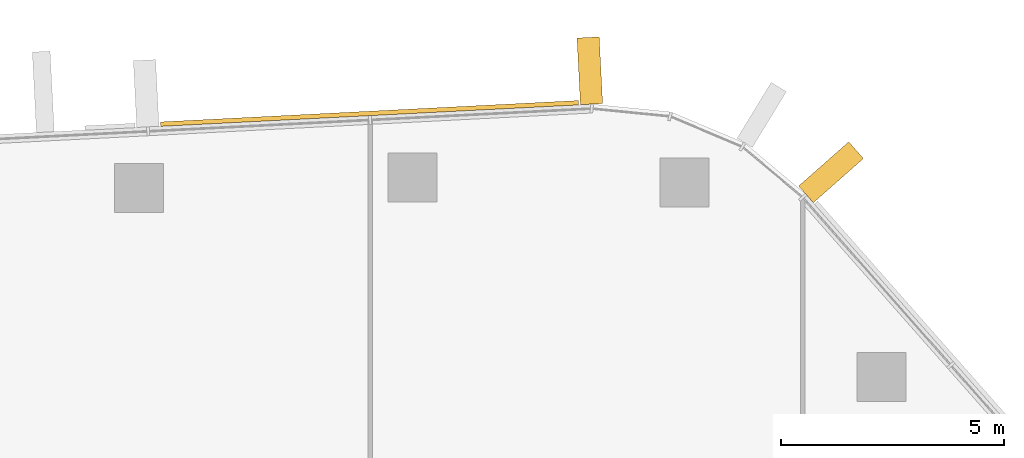
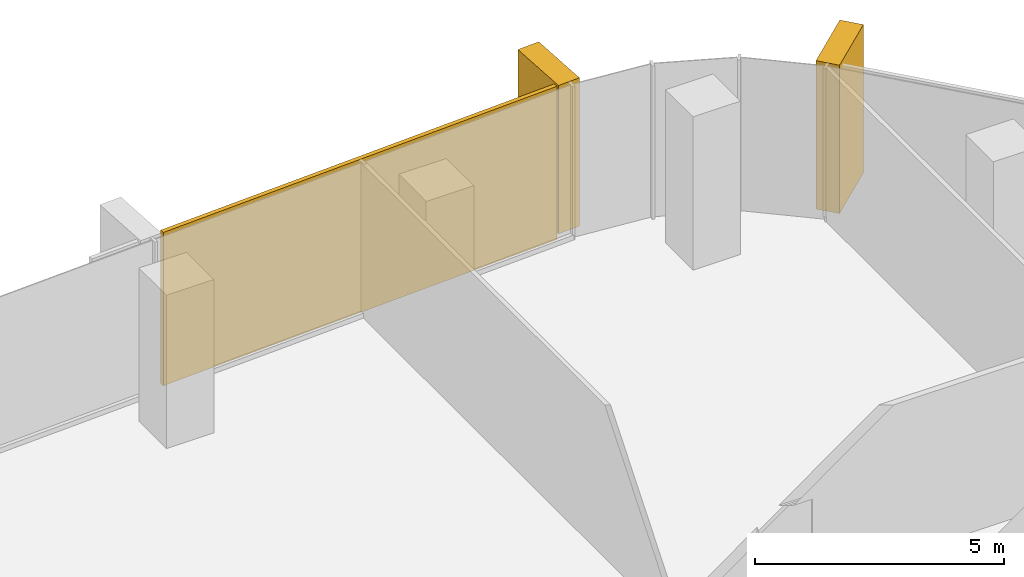
# One storey, part 21 of 21: 3 coverings, 2 elements without a shape of their own.
"""IFC4 building model written with IfcOpenShell, lengths in metres."""

import ifcopenshell
import ifcopenshell.guid

model = None  # the IFC model being written
_history = None  # IfcOwnerHistory: only IFC2X3 demands one
_inside = {}  # id of a spatial element -> (the spatial element, [elements in it])
_under = {}  # id of a project, library or spatial element -> (it, [spatial elements below it])
_declared = {}  # id of a project -> (the project, [libraries it declares])
_typed = {}  # id of a type object -> (the type object, [elements of that type])
_made_of = {}  # id of a material, layer set ... -> (it, [elements and type objects made of it])


def new_model(schema):
    """Start an empty IFC model of exactly this schema.

    Asked for "IFC4X3", IfcOpenShell would pick the latest addendum, in which some entities
    have other attributes; the version numbers below select the first issue.
    IFC2X3 requires an IfcOwnerHistory on every rooted entity: one is made here for all.
    """
    global model, _history
    if schema == "IFC4X3":
        model = ifcopenshell.file(schema_version=(4, 3, 0, 0))
    else:
        model = ifcopenshell.file(schema=schema)
    _inside.clear()
    _under.clear()
    _declared.clear()
    _typed.clear()
    _made_of.clear()
    _history = None
    if model.schema == "IFC2X3":
        org = make("IfcOrganization", Name="unknown")
        user = make(
            "IfcPersonAndOrganization",
            ThePerson=make("IfcPerson", FamilyName="unknown"),
            TheOrganization=org,
        )
        app = make(
            "IfcApplication",
            ApplicationDeveloper=org,
            Version="unknown",
            ApplicationFullName="unknown",
            ApplicationIdentifier="unknown",
        )
        _history = make(
            "IfcOwnerHistory",
            OwningUser=user,
            OwningApplication=app,
            ChangeAction="ADDED",
            CreationDate=0,
        )
    return model


def make(cls, **values):
    """One entity of the class cls with the attributes given. An attribute that is None is left unset."""
    return model.create_entity(
        cls, **{name: value for name, value in values.items() if value is not None}
    )


def rooted(cls, **values):
    """An entity with a GlobalId (a new one), such as an element, a storey or a relation."""
    return make(cls, GlobalId=ifcopenshell.guid.new(), OwnerHistory=_history, **values)


def si_unit(unit_type, name, prefix=None):
    """IfcSIUnit, for example si_unit("LENGTHUNIT", "METRE", prefix="MILLI")."""
    return make("IfcSIUnit", UnitType=unit_type, Prefix=prefix, Name=name)


def assignment(units):
    """IfcUnitAssignment: the units of a project."""
    return None if units is None else make("IfcUnitAssignment", Units=units)


def point(xyz):
    """IfcCartesianPoint."""
    return None if xyz is None else make("IfcCartesianPoint", Coordinates=xyz)


def direction(xyz):
    """IfcDirection."""
    return None if xyz is None else make("IfcDirection", DirectionRatios=xyz)


def frame(location, z_axis=None, x_axis=None):
    """IfcAxis2Placement3D, a coordinate frame: its origin and axes. An axis left out is left unset."""
    return make(
        "IfcAxis2Placement3D",
        Location=point(location),
        Axis=direction(z_axis),
        RefDirection=direction(x_axis),
    )


def frame_2d(location, x_axis=None):
    """IfcAxis2Placement2D, a coordinate frame in the plane: its origin and x axis."""
    return make(
        "IfcAxis2Placement2D", Location=point(location), RefDirection=direction(x_axis)
    )


def origin():
    """The frame at (0, 0, 0) with its axes left unset."""
    return frame((0.0, 0.0, 0.0))


def origin_2d():
    """The frame at (0, 0) in the plane with its x axis left unset."""
    return frame_2d((0.0, 0.0))


def place(relative_to, where):
    """IfcLocalPlacement: puts the frame where relative to a parent placement (None: the world)."""
    return make(
        "IfcLocalPlacement", PlacementRelTo=relative_to, RelativePlacement=where
    )


def context(
    kind, dimensions, precision=None, world=None, true_north=None, identifier=None
):
    """IfcGeometricRepresentationContext, for example the 3D "Model" context."""
    return make(
        "IfcGeometricRepresentationContext",
        ContextIdentifier=identifier,
        ContextType=kind,
        CoordinateSpaceDimension=dimensions,
        Precision=precision,
        WorldCoordinateSystem=world,
        TrueNorth=true_north,
    )


def subcontext(parent, identifier, kind, view, scale=None):
    """IfcGeometricRepresentationSubContext, for example "Body" below "Model"."""
    return make(
        "IfcGeometricRepresentationSubContext",
        ContextIdentifier=identifier,
        ContextType=kind,
        ParentContext=parent,
        TargetScale=scale,
        TargetView=view,
    )


def project(units=None, contexts=None):
    """IfcProject with its units and contexts."""
    return rooted(
        "IfcProject",
        Name="project",
        RepresentationContexts=contexts,
        UnitsInContext=assignment(units),
    )


def spatial(cls, under=None, at=None, **own):
    """A site, building, storey or space (cls), placed at a placement, below another one or the project."""
    s = rooted(cls, ObjectPlacement=at, **own)
    if under is not None:
        _under.setdefault(under.id(), (under, []))[1].append(s)
    return s


def profile(cls, at=None, kind="AREA", **sizes):
    """A parametric profile (cls). Its sizes go by their IFC names, for example OverallWidth=200.0."""
    return make(cls, ProfileType=kind, Position=at, **sizes)


def rectangle(**sizes):
    """IfcRectangleProfileDef."""
    return profile("IfcRectangleProfileDef", **sizes)


def extrude(swept, where, along, depth):
    """IfcExtrudedAreaSolid: the profile swept, set in the frame where, extruded along a direction by depth."""
    return make(
        "IfcExtrudedAreaSolid",
        SweptArea=swept,
        Position=where,
        ExtrudedDirection=direction(along),
        Depth=depth,
    )


def shape(context_of_items, identifier, shape_type, items):
    """IfcShapeRepresentation: the items that make up one representation, for example the "Body"."""
    return make(
        "IfcShapeRepresentation",
        ContextOfItems=context_of_items,
        RepresentationIdentifier=identifier,
        RepresentationType=shape_type,
        Items=items,
    )


def material(Name=None, Category=None):
    """IfcMaterial."""
    return make("IfcMaterial", Name=Name, Category=Category)


def layer(
    of_material, thickness, ventilated=None, Name=None, Category=None, Priority=None
):
    """IfcMaterialLayer: one layer of a wall or slab, of a material (None: an air gap)."""
    return make(
        "IfcMaterialLayer",
        Material=of_material,
        LayerThickness=thickness,
        IsVentilated=ventilated,
        Name=Name,
        Category=Category,
        Priority=Priority,
    )


def layer_set(layers, Name=None):
    """IfcMaterialLayerSet."""
    return make("IfcMaterialLayerSet", MaterialLayers=layers, LayerSetName=Name)


def material_profile(
    of_material, cross_section, Name=None, Category=None, Priority=None
):
    """IfcMaterialProfile: a cross section and its material."""
    return make(
        "IfcMaterialProfile",
        Name=Name,
        Material=of_material,
        Profile=cross_section,
        Priority=Priority,
        Category=Category,
    )


def profile_set(profiles, Name=None, composite=None):
    """IfcMaterialProfileSet."""
    return make(
        "IfcMaterialProfileSet",
        Name=Name,
        MaterialProfiles=profiles,
        CompositeProfile=composite,
    )


def made_of(thing, what):
    """Note that an element or type object is made of a material, layer set ...; save() writes the relation."""
    if what is not None:
        _made_of.setdefault(what.id(), (what, []))[1].append(thing)
    return thing


def type_object(cls, material=None, **own):
    """A type object (cls), such as IfcWallType, which elements share."""
    return made_of(rooted(cls, **own), material)


def element(
    cls,
    number,
    at=None,
    inside=None,
    cuts=None,
    type_object=None,
    material=None,
    context=None,
    identifier="Body",
    shape_type=None,
    held_by="IfcProductDefinitionShape",
    body=None,
    shapes=None,
    **own,
):
    """One element of the class cls, such as IfcWall. Its Tag is "e" and its number.

    at: its placement. inside: the storey or other place that contains it. cuts: it is an
    opening in that element (IfcRelVoidsElement). A single representation is given by context,
    identifier, shape_type and body (its items); several are given by shapes. held_by: the class
    of the entity that holds the representations. save() writes the other relations.
    """
    e = rooted(cls, Tag="e%d" % number, ObjectPlacement=at, **own)
    if body is not None:
        shapes = [shape(context, identifier, shape_type, body)]
    if shapes is not None:
        e.Representation = make(held_by, Representations=shapes)
    if inside is not None:
        _inside.setdefault(inside.id(), (inside, []))[1].append(e)
    if cuts is not None:
        rooted(
            "IfcRelVoidsElement", RelatingBuildingElement=cuts, RelatedOpeningElement=e
        )
    if type_object is not None:
        _typed.setdefault(type_object.id(), (type_object, []))[1].append(e)
    return made_of(e, material)


def aggregate(whole, parts):
    """IfcRelAggregates: a whole, such as a stair, and the parts it consists of."""
    return rooted("IfcRelAggregates", RelatingObject=whole, RelatedObjects=parts)


def save(model, path):
    """Write the relations noted so far, then the file.

    IfcRelAggregates (storeys below a building ...), IfcRelContainedInSpatialStructure (elements
    in a storey), IfcRelDefinesByType, IfcRelAssociatesMaterial and IfcRelDeclares: one each for
    every whole, place, type object, material and project.
    """
    for whole, parts in _under.values():
        aggregate(whole, parts)
    for where, things in _inside.values():
        rooted(
            "IfcRelContainedInSpatialStructure",
            RelatedElements=things,
            RelatingStructure=where,
        )
    for kind, things in _typed.values():
        rooted("IfcRelDefinesByType", RelatedObjects=things, RelatingType=kind)
    for what, things in _made_of.values():
        rooted("IfcRelAssociatesMaterial", RelatedObjects=things, RelatingMaterial=what)
    for by, libraries in _declared.values():
        rooted("IfcRelDeclares", RelatingContext=by, RelatedDefinitions=libraries)
    model.write(path)


model = new_model("IFC4")

# Units and contexts
model_context = context("Model", 3, precision=1e-05, world=origin(), true_north=direction((0.0, 1.0)))
body_context = subcontext(model_context, "Body", "Model", "MODEL_VIEW")
ifc_project = project(units=[si_unit("LENGTHUNIT", "METRE"), si_unit("AREAUNIT", "SQUARE_METRE"), si_unit("VOLUMEUNIT", "CUBIC_METRE"), si_unit("PLANEANGLEUNIT", "RADIAN"), si_unit("MASSUNIT", "GRAM", prefix="KILO")], contexts=[model_context])

# Site, building, storey
site_placement = place(None, origin())
site = spatial("IfcSite", under=ifc_project, at=site_placement, CompositionType="ELEMENT")
building_placement = place(site_placement, origin())
building = spatial("IfcBuilding", under=site, at=building_placement, Name="Dongbaek Canopy Tower", CompositionType="ELEMENT")
storey_placement = place(building_placement, frame((0.0, 0.0, 232.800048828125)))
storey = spatial("IfcBuildingStorey", under=building, at=storey_placement, Name="L48", CompositionType="ELEMENT", Elevation=232.800048828125)

# Curtain wall, covering
ifc_material_1 = material(Name="Aluminium 6063-T6 pale anodised", Category="aluminium")
ifc_layer_1 = layer(ifc_material_1, 0.199951171875)
ifc_layer_set_1 = layer_set([ifc_layer_1], Name="CW-1 unitised tower curtain wall")
curtain_wall_type = type_object("IfcCurtainWallType", Name="CW-1 unitised tower curtain wall", PredefinedType="NOTDEFINED", material=ifc_layer_set_1)
curtain_wall_1_placement = place(storey_placement, origin())
curtain_wall_1 = element("IfcCurtainWall", 1, at=curtain_wall_1_placement, inside=storey, type_object=curtain_wall_type, Name="CW-1 curtain wall F1.1", PredefinedType="NOTDEFINED")
ifc_material_2 = material(Name="Perforated aluminium 6063-T6 pale metal screen", Category="aluminium")
ifc_layer_2 = layer(ifc_material_2, 0.10009765625)
ifc_layer_set_2 = layer_set([ifc_layer_2], Name="Facet screen FS1 100 pale metal")
covering_type_1 = type_object("IfcCoveringType", Name="Facet screen FS1 100 pale metal", PredefinedType="CLADDING", material=ifc_layer_set_2)
covering_1_placement = place(storey_placement, frame((3.91748046875, 26.149169921875, 0.0), z_axis=(0.0, 0.0, 1.0), x_axis=(-0.998689873476, -0.051171638795, 0.0)))
covering_1 = element("IfcCovering", 2, at=covering_1_placement, type_object=covering_type_1, Name="Facet screen L48 F1", PredefinedType="CLADDING", context=body_context, shape_type="SweptSolid", body=[
    extrude(rectangle(XDim=9.39990234375, YDim=0.10009765625, at=origin_2d()), origin(), (0.0, 0.0, 1.0), 3.75),
])

curtain_wall_2_placement = place(storey_placement, origin())
curtain_wall_2 = element("IfcCurtainWall", 3, at=curtain_wall_2_placement, inside=storey, type_object=curtain_wall_type, Name="CW-1 curtain wall F0.1", PredefinedType="NOTDEFINED")
ifc_material_3 = material(Name="Aluminium 6063-T6 pale metal fin", Category="aluminium")
ifc_material_profile = material_profile(ifc_material_3, rectangle(XDim=1.5, YDim=0.5, at=origin_2d()), Name="Fin FN1 500 x 1500 pale metal")
ifc_profile_set = profile_set([ifc_material_profile], Name="Aluminium 6063-T6 pale metal fin")
covering_type_2 = type_object("IfcCoveringType", Name="Fin FN1 500 x 1500 pale metal", PredefinedType="CLADDING", material=ifc_profile_set)
covering_2_placement = place(storey_placement, frame((14.2841796875, 24.8271484375, 0.119873046875), z_axis=(0.0, 0.0, 1.0), x_axis=(0.749829254199, 0.661631384947, 0.0)))
covering_2 = element("IfcCovering", 4, at=covering_2_placement, type_object=covering_type_2, Name="Fin F0.1.5", PredefinedType="CLADDING", context=body_context, shape_type="SweptSolid", body=[
    extrude(rectangle(XDim=1.5, YDim=0.5, at=origin_2d()), origin(), (0.0, 0.0, 1.0), 3.630126953125),
])
aggregate(curtain_wall_2, [covering_2])

# Covering
covering_3_placement = place(storey_placement, frame((8.864990234375, 27.107421875, 0.119873046875), z_axis=(0.0, 0.0, 1.0), x_axis=(-0.051171421559, 0.998689884607, 0.0)))
covering_3 = element("IfcCovering", 5, at=covering_3_placement, type_object=covering_type_2, Name="Fin F1.1.1", PredefinedType="CLADDING", context=body_context, shape_type="SweptSolid", body=[
    extrude(rectangle(XDim=1.5, YDim=0.5, at=origin_2d()), origin(), (0.0, 0.0, 1.0), 3.630126953125),
])

aggregate(curtain_wall_1, [covering_3, covering_1])

save(model, "model.ifc")
